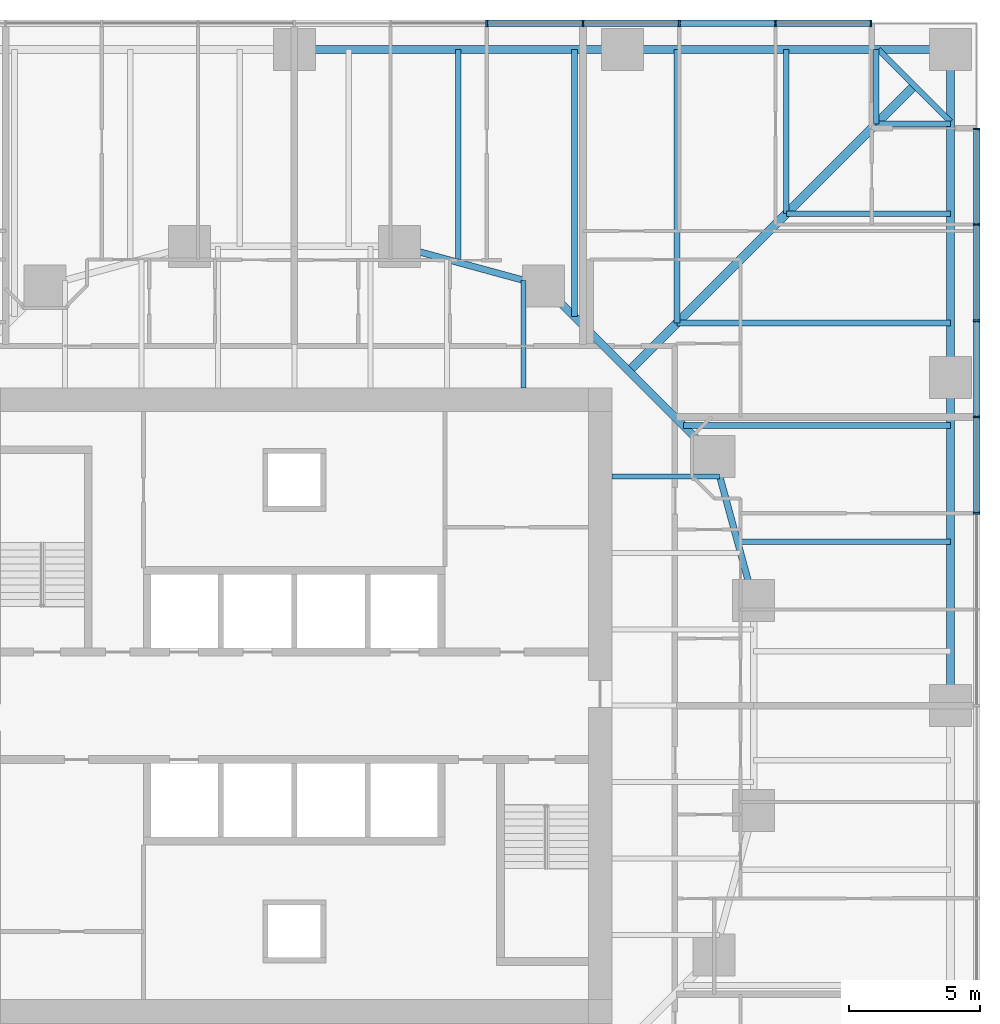
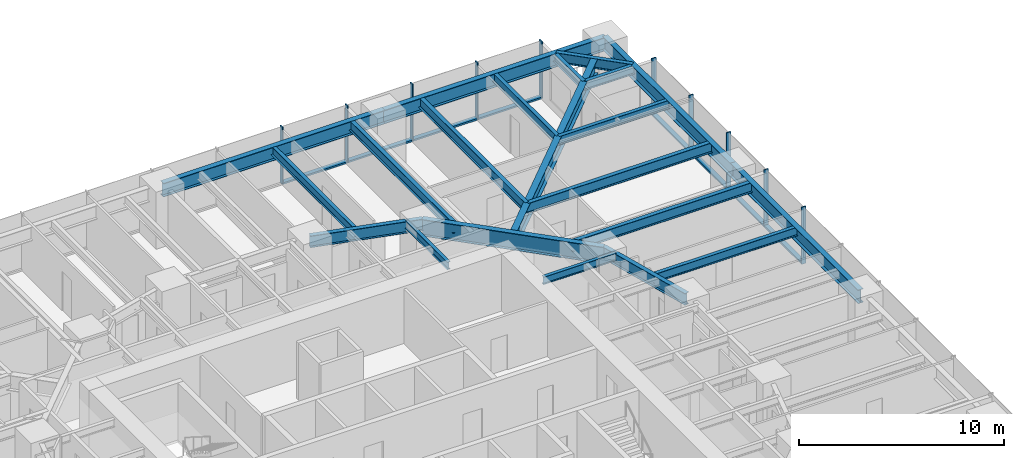
# One storey, part 6 of 17: 21 beams, 18 members, 2 elements without a shape of their own.
"""IFC4 building model written with IfcOpenShell, lengths in metres."""

from ifc_helpers import new_model, si_unit, direction, frame, origin, origin_2d, place, context, subcontext, project, spatial, rectangle, i_section, extrude, material, material_profile, profile_set, type_object, element, aggregate, save


model = new_model("IFC4")

# Units and contexts
model_context = context("Model", 3, precision=1e-05, world=origin(), true_north=direction((0.0, 1.0)))
body_context = subcontext(model_context, "Body", "Model", "MODEL_VIEW")
ifc_project = project(units=[si_unit("LENGTHUNIT", "METRE"), si_unit("AREAUNIT", "SQUARE_METRE"), si_unit("VOLUMEUNIT", "CUBIC_METRE"), si_unit("PLANEANGLEUNIT", "RADIAN"), si_unit("MASSUNIT", "GRAM", prefix="KILO")], contexts=[model_context])

# Site, building, storey
site_placement = place(None, origin())
site = spatial("IfcSite", under=ifc_project, at=site_placement, CompositionType="ELEMENT")
building_placement = place(site_placement, origin())
building = spatial("IfcBuilding", under=site, at=building_placement, Name="Torsade Residences", CompositionType="ELEMENT")
storey_placement = place(building_placement, frame((0.0, 0.0, 21.800048828125)))
storey = spatial("IfcBuildingStorey", under=building, at=storey_placement, Name="L05", CompositionType="ELEMENT", Elevation=21.800048828125)

# Beams
ifc_material_1 = material(Name="Steel grade 300", Category="steel")
ifc_material_profile_1 = material_profile(ifc_material_1, i_section(OverallWidth=0.35009765625, OverallDepth=0.909912109375, WebThickness=0.011962890625, FlangeThickness=0.02490234375, at=origin_2d()), Name="900WB218")
ifc_profile_set_1 = profile_set([ifc_material_profile_1], Name="Steel grade 300")
beam_type_1 = type_object("IfcBeamType", Name="CORNER GIRDER 900WB218", PredefinedType="BEAM", material=ifc_profile_set_1)
beam_1_placement = place(storey_placement, frame((63.625, 53.625, 2.794921875), z_axis=(-0.707106781187, -0.707106781187, 0.0), x_axis=(0.707106781187, -0.707106781187, 0.0)))
element("IfcBeam", 1, at=beam_1_placement, inside=storey, type_object=beam_type_1, Name="Corner girder 09 L06", PredefinedType="BEAM", context=body_context, shape_type="SweptSolid", body=[
    extrude(i_section(OverallWidth=0.35009765625, OverallDepth=0.909912109375, WebThickness=0.011962890625, FlangeThickness=0.02490234375, at=origin_2d()), origin(), (0.0, 0.0, 1.0), 15.379638671875),
])
ifc_material_2 = material(Name="Steel grade 300", Category="steel")
ifc_material_profile_2 = material_profile(ifc_material_2, i_section(OverallWidth=0.22802734375, OverallDepth=0.60205078125, WebThickness=0.010498046875, FlangeThickness=0.014892578125, FilletRadius=0.013916015625, at=origin_2d()), Name="610UB101")
ifc_profile_set_2 = profile_set([ifc_material_profile_2], Name="Steel grade 300")
beam_type_2 = type_object("IfcBeamType", Name="CORNER TRIMMER 610UB101", PredefinedType="BEAM", material=ifc_profile_set_2)
beam_2_placement = place(storey_placement, frame((62.25, 55.0, 2.948974609375), z_axis=(0.707106781187, -0.707106781187, 0.0), x_axis=(0.707106781187, 0.707106781187, 0.0)))
element("IfcBeam", 2, at=beam_2_placement, inside=storey, type_object=beam_type_2, Name="Corner trimmer 09 L06", PredefinedType="BEAM", context=body_context, shape_type="SweptSolid", body=[
    extrude(i_section(OverallWidth=0.22802734375, OverallDepth=0.60205078125, WebThickness=0.010498046875, FlangeThickness=0.014892578125, FilletRadius=0.013916015625, at=origin_2d()), origin(), (0.0, 0.0, 1.0), 3.88916015625),
])

# Curtain wall, members
ifc_material_3 = material(Name="Aluminium and glass", Category="aluminium")
curtain_wall_type = type_object("IfcCurtainWallType", Name="FRITTED GLASS CURTAIN WALL LOW ZONE", PredefinedType="NOTDEFINED", material=ifc_material_3)
curtain_wall_1_placement = place(storey_placement, origin())
curtain_wall_1 = element("IfcCurtainWall", 3, at=curtain_wall_1_placement, inside=storey, type_object=curtain_wall_type, Name="Curtain wall L05 face 4", PredefinedType="NOTDEFINED")
ifc_material_4 = material(Name="Aluminium mullion", Category="aluminium")
ifc_material_profile_3 = material_profile(ifc_material_4, rectangle(XDim=0.25, YDim=0.06494140625, at=origin_2d()), Name="CURTAIN WALL MULLION 250x65")
ifc_profile_set_3 = profile_set([ifc_material_profile_3], Name="Aluminium mullion")
member_type_1 = type_object("IfcMemberType", Name="CURTAIN WALL MULLION 250x65", PredefinedType="MULLION", material=ifc_profile_set_3)
member_1_placement = place(storey_placement, frame((66.0, 37.333251953125, 0.0), z_axis=(0.0, 0.0, 1.0), x_axis=(-1.0, 0.0, 0.0)))
member_1 = element("IfcMember", 4, at=member_1_placement, type_object=member_type_1, Name="Mullion 9", PredefinedType="MULLION", context=body_context, shape_type="SweptSolid", body=[
    extrude(rectangle(XDim=0.25, YDim=0.06494140625, at=origin_2d()), origin(), (0.0, 0.0, 1.0), 3.39990234375),
])
member_2_placement = place(storey_placement, frame((66.0, 41.0, 0.0), z_axis=(0.0, 0.0, 1.0), x_axis=(-1.0, 0.0, 0.0)))
member_2 = element("IfcMember", 5, at=member_2_placement, type_object=member_type_1, Name="Mullion 10", PredefinedType="MULLION", context=body_context, shape_type="SweptSolid", body=[
    extrude(rectangle(XDim=0.25, YDim=0.06494140625, at=origin_2d()), origin(), (0.0, 0.0, 1.0), 3.39990234375),
])
member_3_placement = place(storey_placement, frame((66.0, 44.666748046875, 0.0), z_axis=(0.0, 0.0, 1.0), x_axis=(-1.0, 0.0, 0.0)))
member_3 = element("IfcMember", 6, at=member_3_placement, type_object=member_type_1, Name="Mullion 11", PredefinedType="MULLION", context=body_context, shape_type="SweptSolid", body=[
    extrude(rectangle(XDim=0.25, YDim=0.06494140625, at=origin_2d()), origin(), (0.0, 0.0, 1.0), 3.39990234375),
])
member_4_placement = place(storey_placement, frame((66.0, 48.333251953125, 0.0), z_axis=(0.0, 0.0, 1.0), x_axis=(-1.0, 0.0, 0.0)))
member_4 = element("IfcMember", 7, at=member_4_placement, type_object=member_type_1, Name="Mullion 12", PredefinedType="MULLION", context=body_context, shape_type="SweptSolid", body=[
    extrude(rectangle(XDim=0.25, YDim=0.06494140625, at=origin_2d()), origin(), (0.0, 0.0, 1.0), 3.39990234375),
])
member_5_placement = place(storey_placement, frame((66.0, 51.967529296875, 0.0), z_axis=(0.0, 0.0, 1.0), x_axis=(-1.0, 0.0, 0.0)))
member_5 = element("IfcMember", 8, at=member_5_placement, type_object=member_type_1, Name="Mullion 13", PredefinedType="MULLION", context=body_context, shape_type="SweptSolid", body=[
    extrude(rectangle(XDim=0.25, YDim=0.06494140625, at=origin_2d()), origin(), (0.0, 0.0, 1.0), 3.39990234375),
])

curtain_wall_2_placement = place(storey_placement, origin())
curtain_wall_2 = element("IfcCurtainWall", 9, at=curtain_wall_2_placement, inside=storey, type_object=curtain_wall_type, Name="Curtain wall L05 face 7", PredefinedType="NOTDEFINED")
member_6_placement = place(storey_placement, frame((61.967529296875, 56.0, 0.0), z_axis=(0.0, 0.0, 1.0), x_axis=(0.0, -1.0, 0.0)))
member_6 = element("IfcMember", 10, at=member_6_placement, type_object=member_type_1, Name="Mullion 1", PredefinedType="MULLION", context=body_context, shape_type="SweptSolid", body=[
    extrude(rectangle(XDim=0.25, YDim=0.06494140625, at=origin_2d()), origin(), (0.0, 0.0, 1.0), 3.39990234375),
])
member_7_placement = place(storey_placement, frame((58.333251953125, 56.0, 0.0), z_axis=(0.0, 0.0, 1.0), x_axis=(0.0, -1.0, 0.0)))
member_7 = element("IfcMember", 11, at=member_7_placement, type_object=member_type_1, Name="Mullion 2", PredefinedType="MULLION", context=body_context, shape_type="SweptSolid", body=[
    extrude(rectangle(XDim=0.25, YDim=0.06494140625, at=origin_2d()), origin(), (0.0, 0.0, 1.0), 3.39990234375),
])
member_8_placement = place(storey_placement, frame((54.666748046875, 56.0, 0.0), z_axis=(0.0, 0.0, 1.0), x_axis=(0.0, -1.0, 0.0)))
member_8 = element("IfcMember", 12, at=member_8_placement, type_object=member_type_1, Name="Mullion 3", PredefinedType="MULLION", context=body_context, shape_type="SweptSolid", body=[
    extrude(rectangle(XDim=0.25, YDim=0.06494140625, at=origin_2d()), origin(), (0.0, 0.0, 1.0), 3.39990234375),
])
member_9_placement = place(storey_placement, frame((51.0, 56.0, 0.0), z_axis=(0.0, 0.0, 1.0), x_axis=(0.0, -1.0, 0.0)))
member_9 = element("IfcMember", 13, at=member_9_placement, type_object=member_type_1, Name="Mullion 4", PredefinedType="MULLION", context=body_context, shape_type="SweptSolid", body=[
    extrude(rectangle(XDim=0.25, YDim=0.06494140625, at=origin_2d()), origin(), (0.0, 0.0, 1.0), 3.39990234375),
])
member_10_placement = place(storey_placement, frame((47.333251953125, 56.0, 0.0), z_axis=(0.0, 0.0, 1.0), x_axis=(0.0, -1.0, 0.0)))
member_10 = element("IfcMember", 14, at=member_10_placement, type_object=member_type_1, Name="Mullion 5", PredefinedType="MULLION", context=body_context, shape_type="SweptSolid", body=[
    extrude(rectangle(XDim=0.25, YDim=0.06494140625, at=origin_2d()), origin(), (0.0, 0.0, 1.0), 3.39990234375),
])

# Member
ifc_material_5 = material(Name="Aluminium transom", Category="aluminium")
ifc_material_profile_4 = material_profile(ifc_material_5, rectangle(XDim=0.25, YDim=0.10009765625, at=origin_2d()), Name="CURTAIN WALL TRANSOM 250x100")
ifc_profile_set_4 = profile_set([ifc_material_profile_4], Name="Aluminium transom")
member_type_2 = type_object("IfcMemberType", Name="CURTAIN WALL TRANSOM 250x100", PredefinedType="USERDEFINED", material=ifc_profile_set_4)
member_11_placement = place(storey_placement, frame((66.0, 37.36572265625, 0.050048828125), z_axis=(0.0, 1.0, 0.0), x_axis=(-1.0, 0.0, 0.0)))
member_11 = element("IfcMember", 15, at=member_11_placement, type_object=member_type_2, Name="Transom 9.1", ObjectType="TRANSOM", PredefinedType="USERDEFINED", context=body_context, shape_type="SweptSolid", body=[
    extrude(rectangle(XDim=0.25, YDim=0.10009765625, at=origin_2d()), origin(), (0.0, 0.0, 1.0), 3.601806640625),
])

member_12_placement = place(storey_placement, frame((66.0, 41.032470703125, 0.050048828125), z_axis=(0.0, 1.0, 0.0), x_axis=(-1.0, 0.0, 0.0)))
member_12 = element("IfcMember", 16, at=member_12_placement, type_object=member_type_2, Name="Transom 10.1", ObjectType="TRANSOM", PredefinedType="USERDEFINED", context=body_context, shape_type="SweptSolid", body=[
    extrude(rectangle(XDim=0.25, YDim=0.10009765625, at=origin_2d()), origin(), (0.0, 0.0, 1.0), 3.601806640625),
])

member_13_placement = place(storey_placement, frame((66.0, 44.69921875, 0.050048828125), z_axis=(0.0, 1.0, 0.0), x_axis=(-1.0, 0.0, 0.0)))
member_13 = element("IfcMember", 17, at=member_13_placement, type_object=member_type_2, Name="Transom 11.1", ObjectType="TRANSOM", PredefinedType="USERDEFINED", context=body_context, shape_type="SweptSolid", body=[
    extrude(rectangle(XDim=0.25, YDim=0.10009765625, at=origin_2d()), origin(), (0.0, 0.0, 1.0), 3.6015625),
])

member_14_placement = place(storey_placement, frame((66.0, 48.36572265625, 0.050048828125), z_axis=(0.0, 1.0, 0.0), x_axis=(-1.0, 0.0, 0.0)))
member_14 = element("IfcMember", 18, at=member_14_placement, type_object=member_type_2, Name="Transom 12.1", ObjectType="TRANSOM", PredefinedType="USERDEFINED", context=body_context, shape_type="SweptSolid", body=[
    extrude(rectangle(XDim=0.25, YDim=0.10009765625, at=origin_2d()), origin(), (0.0, 0.0, 1.0), 3.5693359375),
])

aggregate(curtain_wall_1, [member_1, member_2, member_3, member_4, member_5, member_11, member_12, member_13, member_14])

member_15_placement = place(storey_placement, frame((61.93505859375, 56.0, 0.050048828125), z_axis=(-1.0, 0.0, 0.0), x_axis=(0.0, -1.0, 0.0)))
member_15 = element("IfcMember", 19, at=member_15_placement, type_object=member_type_2, Name="Transom 1.1", ObjectType="TRANSOM", PredefinedType="USERDEFINED", context=body_context, shape_type="SweptSolid", body=[
    extrude(rectangle(XDim=0.25, YDim=0.10009765625, at=origin_2d()), origin(), (0.0, 0.0, 1.0), 3.5693359375),
])

member_16_placement = place(storey_placement, frame((58.30078125, 56.0, 0.050048828125), z_axis=(-1.0, 0.0, 0.0), x_axis=(0.0, -1.0, 0.0)))
member_16 = element("IfcMember", 20, at=member_16_placement, type_object=member_type_2, Name="Transom 2.1", ObjectType="TRANSOM", PredefinedType="USERDEFINED", context=body_context, shape_type="SweptSolid", body=[
    extrude(rectangle(XDim=0.25, YDim=0.10009765625, at=origin_2d()), origin(), (0.0, 0.0, 1.0), 3.6015625),
])

member_17_placement = place(storey_placement, frame((54.63427734375, 56.0, 0.050048828125), z_axis=(-1.0, 0.0, 0.0), x_axis=(0.0, -1.0, 0.0)))
member_17 = element("IfcMember", 21, at=member_17_placement, type_object=member_type_2, Name="Transom 3.1", ObjectType="TRANSOM", PredefinedType="USERDEFINED", context=body_context, shape_type="SweptSolid", body=[
    extrude(rectangle(XDim=0.25, YDim=0.10009765625, at=origin_2d()), origin(), (0.0, 0.0, 1.0), 3.601806640625),
])

member_18_placement = place(storey_placement, frame((50.967529296875, 56.0, 0.050048828125), z_axis=(-1.0, 0.0, 0.0), x_axis=(0.0, -1.0, 0.0)))
member_18 = element("IfcMember", 22, at=member_18_placement, type_object=member_type_2, Name="Transom 4.1", ObjectType="TRANSOM", PredefinedType="USERDEFINED", context=body_context, shape_type="SweptSolid", body=[
    extrude(rectangle(XDim=0.25, YDim=0.10009765625, at=origin_2d()), origin(), (0.0, 0.0, 1.0), 3.601806640625),
])

aggregate(curtain_wall_2, [member_6, member_7, member_8, member_9, member_10, member_15, member_16, member_17, member_18])

# Beams
ifc_material_6 = material(Name="Steel grade 300", Category="steel")
ifc_material_profile_5 = material_profile(ifc_material_6, i_section(OverallWidth=0.300048828125, OverallDepth=0.81591796875, WebThickness=0.010009765625, FlangeThickness=0.028076171875, at=origin_2d()), Name="800WB192")
ifc_profile_set_5 = profile_set([ifc_material_profile_5], Name="Steel grade 300")
beam_type_3 = type_object("IfcBeamType", Name="EDGE BEAM 800WB192", PredefinedType="SPANDREL", material=ifc_profile_set_5)
for number, where, z_axis, x_axis, name in (
    (23, (65.0, 30.0, 2.842041015625), (0.0, 1.0, 0.0), (-1.0, 0.0, 0.0), "Edge beam 07 L06"),
    (24, (65.0, 42.5, 2.842041015625), (0.0, 1.0, 0.0), (-1.0, 0.0, 0.0), "Edge beam 08 L06"),
    (25, (65.0, 55.0, 2.842041015625), (-1.0, 0.0, 0.0), (0.0, -1.0, 0.0), "Edge beam 09 L06"),
    (26, (52.5, 55.0, 2.842041015625), (-1.0, 0.0, 0.0), (0.0, -1.0, 0.0), "Edge beam 10 L06"),
):
    element("IfcBeam", number, at=place(storey_placement, frame(where, z_axis=z_axis, x_axis=x_axis)), inside=storey, type_object=beam_type_3, Name=name, PredefinedType="SPANDREL", context=body_context, shape_type="SweptSolid", body=[
        extrude(i_section(OverallWidth=0.300048828125, OverallDepth=0.81591796875, WebThickness=0.010009765625, FlangeThickness=0.028076171875, at=origin_2d()), origin(), (0.0, 0.0, 1.0), 12.5),
    ])
ifc_material_7 = material(Name="Steel grade 300", Category="steel")
ifc_material_profile_6 = material_profile(ifc_material_7, i_section(OverallWidth=0.18994140625, OverallDepth=0.4541015625, WebThickness=0.008544921875, FlangeThickness=0.0126953125, FilletRadius=0.011474609375, at=origin_2d()), Name="460UB67.1")
ifc_profile_set_6 = profile_set([ifc_material_profile_6], Name="Steel grade 300")
beam_type_4 = type_object("IfcBeamType", Name="INNER FLOOR BEAM 460UB67.1", PredefinedType="JOIST", material=ifc_profile_set_6)
for number, where, z_axis, x_axis, name in (
    (27, (48.737548828125, 42.10009765625, 3.02294921875), (0.0, 1.0, 0.0), (-1.0, 0.0, 0.0), "Inner floor beam IN07 L06"),
    (28, (52.10009765625, 38.737548828125, 3.02294921875), (1.0, 0.0, 0.0), (0.0, 1.0, 0.0), "Inner floor beam IE07 L06"),
):
    element("IfcBeam", number, at=place(storey_placement, frame(where, z_axis=z_axis, x_axis=x_axis)), inside=storey, type_object=beam_type_4, Name=name, PredefinedType="JOIST", context=body_context, shape_type="SweptSolid", body=[
        extrude(i_section(OverallWidth=0.18994140625, OverallDepth=0.4541015625, WebThickness=0.008544921875, FlangeThickness=0.0126953125, FilletRadius=0.011474609375, at=origin_2d()), origin(), (0.0, 0.0, 1.0), 4.10791015625),
    ])
ifc_material_8 = material(Name="Steel grade 300", Category="steel")
ifc_material_profile_7 = material_profile(ifc_material_8, i_section(OverallWidth=0.300048828125, OverallDepth=1.0, WebThickness=0.01611328125, FlangeThickness=0.028076171875, at=origin_2d()), Name="1000WB215")
ifc_profile_set_7 = profile_set([ifc_material_profile_7], Name="Steel grade 300")
beam_type_5 = type_object("IfcBeamType", Name="RING CORNER GIRDER 1000WB215", PredefinedType="BEAM", material=ifc_profile_set_7)
beam_3_placement = place(storey_placement, frame((56.0, 39.5, 2.75), z_axis=(-0.707106781187, 0.707106781187, 0.0), x_axis=(-0.707106781187, -0.707106781187, 0.0)))
element("IfcBeam", 29, at=beam_3_placement, inside=storey, type_object=beam_type_5, Name="Ring girder IR03 L06", PredefinedType="BEAM", context=body_context, shape_type="SweptSolid", body=[
    extrude(i_section(OverallWidth=0.300048828125, OverallDepth=1.0, WebThickness=0.01611328125, FlangeThickness=0.028076171875, at=origin_2d()), origin(), (0.0, 0.0, 1.0), 9.1923828125),
])
ifc_material_9 = material(Name="Steel grade 300", Category="steel")
ifc_material_profile_8 = material_profile(ifc_material_9, i_section(OverallWidth=0.25, OverallDepth=0.699951171875, WebThickness=0.010009765625, FlangeThickness=0.02001953125, at=origin_2d()), Name="700WB130")
ifc_profile_set_8 = profile_set([ifc_material_profile_8], Name="Steel grade 300")
beam_type_6 = type_object("IfcBeamType", Name="RING GIRDER 700WB130", PredefinedType="BEAM", material=ifc_profile_set_8)
for number, where, z_axis, x_axis, name in (
    (30, (57.5, 34.0, 2.89990234375), (-0.263117405792, 0.964763821238, 0.0), (-0.964763821238, -0.263117405792, 0.0), "Ring girder IR02 L06"),
    (31, (49.5, 46.0, 2.89990234375), (-0.964763821238, 0.263117405792, 0.0), (-0.263117405792, -0.964763821238, 0.0), "Ring girder IR04 L06"),
):
    element("IfcBeam", number, at=place(storey_placement, frame(where, z_axis=z_axis, x_axis=x_axis)), inside=storey, type_object=beam_type_6, Name=name, PredefinedType="BEAM", context=body_context, shape_type="SweptSolid", body=[
        extrude(i_section(OverallWidth=0.25, OverallDepth=0.699951171875, WebThickness=0.010009765625, FlangeThickness=0.02001953125, at=origin_2d()), origin(), (0.0, 0.0, 1.0), 5.700927734375),
    ])
ifc_material_10 = material(Name="Steel grade 300", Category="steel")
ifc_material_profile_9 = material_profile(ifc_material_10, i_section(OverallWidth=0.208984375, OverallDepth=0.528076171875, WebThickness=0.009521484375, FlangeThickness=0.01318359375, FilletRadius=0.013916015625, at=origin_2d()), Name="530UB82.0")
ifc_profile_set_9 = profile_set([ifc_material_profile_9], Name="Steel grade 300")
beam_type_7 = type_object("IfcBeamType", Name="SECONDARY BEAM 530UB82.0", PredefinedType="JOIST", material=ifc_profile_set_9)
beam_4_placement = place(storey_placement, frame((65.0, 36.25, 2.98583984375), z_axis=(-1.0, 0.0, 0.0), x_axis=(0.0, -1.0, 0.0)))
element("IfcBeam", 32, at=beam_4_placement, inside=storey, type_object=beam_type_7, Name="Floor beam FE08 L06", PredefinedType="JOIST", context=body_context, shape_type="SweptSolid", body=[
    extrude(i_section(OverallWidth=0.208984375, OverallDepth=0.528076171875, WebThickness=0.009521484375, FlangeThickness=0.01318359375, FilletRadius=0.013916015625, at=origin_2d()), origin(), (0.0, 0.0, 1.0), 8.113525390625),
])
beam_5_placement = place(storey_placement, frame((65.0, 48.75, 2.98583984375), z_axis=(-1.0, 0.0, 0.0), x_axis=(0.0, -1.0, 0.0)))
element("IfcBeam", 33, at=beam_5_placement, inside=storey, type_object=beam_type_7, Name="Floor beam FE11 L06", PredefinedType="JOIST", context=body_context, shape_type="SweptSolid", body=[
    extrude(i_section(OverallWidth=0.208984375, OverallDepth=0.528076171875, WebThickness=0.009521484375, FlangeThickness=0.01318359375, FilletRadius=0.013916015625, at=origin_2d()), origin(), (0.0, 0.0, 1.0), 6.25),
])
for number, where, z_axis, x_axis, name in (
    (34, (65.0, 52.166748046875, 2.98583984375), (-1.0, 0.0, 0.0), (0.0, -1.0, 0.0), "Floor beam FE12 L06"),
    (35, (62.166748046875, 55.0, 2.98583984375), (0.0, -1.0, 0.0), (1.0, 0.0, 0.0), "Floor beam FN01 L06"),
):
    element("IfcBeam", number, at=place(storey_placement, frame(where, z_axis=z_axis, x_axis=x_axis)), inside=storey, type_object=beam_type_7, Name=name, PredefinedType="JOIST", context=body_context, shape_type="SweptSolid", body=[
        extrude(i_section(OverallWidth=0.208984375, OverallDepth=0.528076171875, WebThickness=0.009521484375, FlangeThickness=0.01318359375, FilletRadius=0.013916015625, at=origin_2d()), origin(), (0.0, 0.0, 1.0), 2.833251953125),
    ])
beam_6_placement = place(storey_placement, frame((58.75, 55.0, 2.98583984375), z_axis=(0.0, -1.0, 0.0), x_axis=(1.0, 0.0, 0.0)))
element("IfcBeam", 36, at=beam_6_placement, inside=storey, type_object=beam_type_7, Name="Floor beam FN02 L06", PredefinedType="JOIST", context=body_context, shape_type="SweptSolid", body=[
    extrude(i_section(OverallWidth=0.208984375, OverallDepth=0.528076171875, WebThickness=0.009521484375, FlangeThickness=0.01318359375, FilletRadius=0.013916015625, at=origin_2d()), origin(), (0.0, 0.0, 1.0), 6.25),
])
beam_7_placement = place(storey_placement, frame((46.25, 55.0, 2.98583984375), z_axis=(0.0, -1.0, 0.0), x_axis=(1.0, 0.0, 0.0)))
element("IfcBeam", 37, at=beam_7_placement, inside=storey, type_object=beam_type_7, Name="Floor beam FN05 L06", PredefinedType="JOIST", context=body_context, shape_type="SweptSolid", body=[
    extrude(i_section(OverallWidth=0.208984375, OverallDepth=0.528076171875, WebThickness=0.009521484375, FlangeThickness=0.01318359375, FilletRadius=0.013916015625, at=origin_2d()), origin(), (0.0, 0.0, 1.0), 8.113525390625),
])
ifc_material_11 = material(Name="Steel grade 300", Category="steel")
ifc_material_profile_10 = material_profile(ifc_material_11, i_section(OverallWidth=0.22900390625, OverallDepth=0.612060546875, WebThickness=0.011962890625, FlangeThickness=0.01953125, FilletRadius=0.013916015625, at=origin_2d()), Name="610UB125")
ifc_profile_set_10 = profile_set([ifc_material_profile_10], Name="Steel grade 300")
beam_type_8 = type_object("IfcBeamType", Name="SECONDARY BEAM 610UB125", PredefinedType="JOIST", material=ifc_profile_set_10)
beam_8_placement = place(storey_placement, frame((65.0, 40.666748046875, 2.94384765625), z_axis=(-1.0, 0.0, 0.0), x_axis=(0.0, -1.0, 0.0)))
element("IfcBeam", 38, at=beam_8_placement, inside=storey, type_object=beam_type_8, Name="Floor beam FE09 L06", PredefinedType="JOIST", context=body_context, shape_type="SweptSolid", body=[
    extrude(i_section(OverallWidth=0.22900390625, OverallDepth=0.612060546875, WebThickness=0.011962890625, FlangeThickness=0.01953125, FilletRadius=0.013916015625, at=origin_2d()), origin(), (0.0, 0.0, 1.0), 10.166748046875),
])
for number, where, z_axis, x_axis, name in (
    (39, (65.0, 44.583251953125, 2.94384765625), (-1.0, 0.0, 0.0), (0.0, -1.0, 0.0), "Floor beam FE10 L06"),
    (40, (54.583251953125, 55.0, 2.94384765625), (0.0, -1.0, 0.0), (1.0, 0.0, 0.0), "Floor beam FN03 L06"),
):
    element("IfcBeam", number, at=place(storey_placement, frame(where, z_axis=z_axis, x_axis=x_axis)), inside=storey, type_object=beam_type_8, Name=name, PredefinedType="JOIST", context=body_context, shape_type="SweptSolid", body=[
        extrude(i_section(OverallWidth=0.22900390625, OverallDepth=0.612060546875, WebThickness=0.011962890625, FlangeThickness=0.01953125, FilletRadius=0.013916015625, at=origin_2d()), origin(), (0.0, 0.0, 1.0), 10.416748046875),
    ])
beam_9_placement = place(storey_placement, frame((50.666748046875, 55.0, 2.94384765625), z_axis=(0.0, -1.0, 0.0), x_axis=(1.0, 0.0, 0.0)))
element("IfcBeam", 41, at=beam_9_placement, inside=storey, type_object=beam_type_8, Name="Floor beam FN04 L06", PredefinedType="JOIST", context=body_context, shape_type="SweptSolid", body=[
    extrude(i_section(OverallWidth=0.22900390625, OverallDepth=0.612060546875, WebThickness=0.011962890625, FlangeThickness=0.01953125, FilletRadius=0.013916015625, at=origin_2d()), origin(), (0.0, 0.0, 1.0), 10.166748046875),
])

save(model, "model.ifc")
